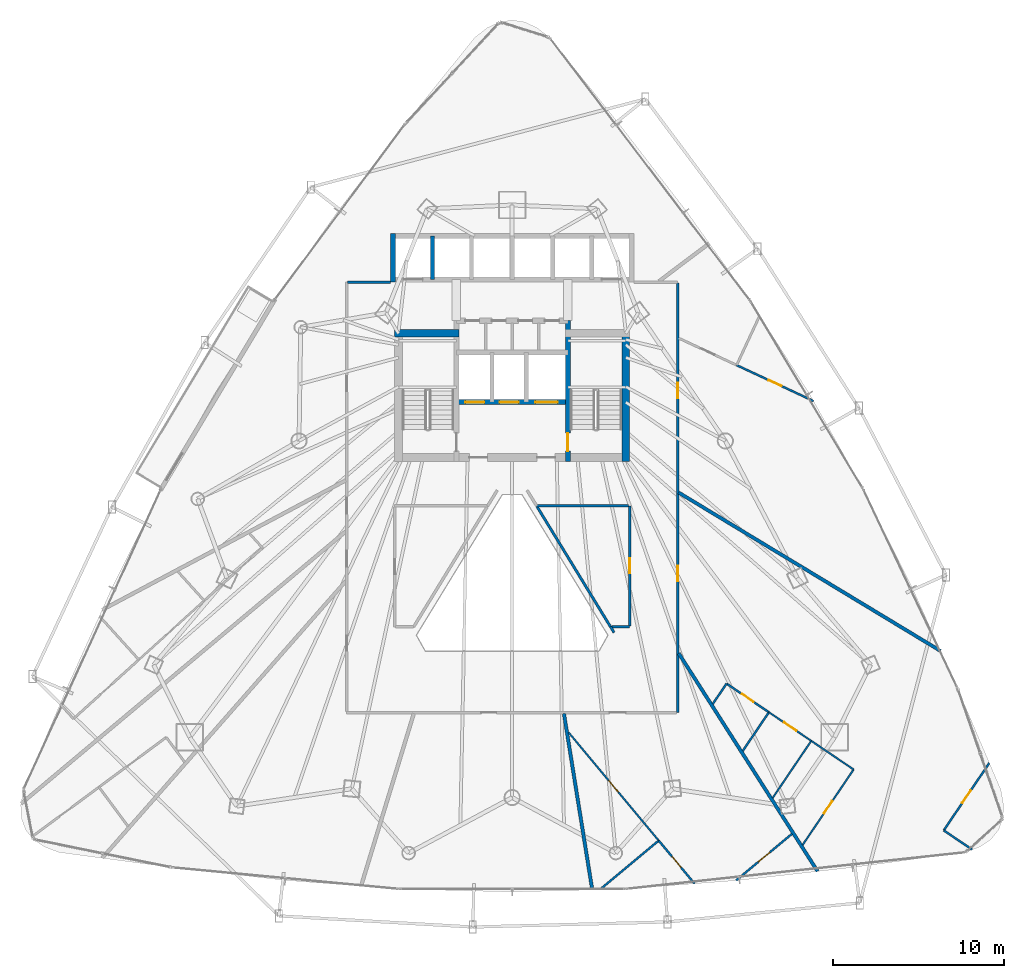
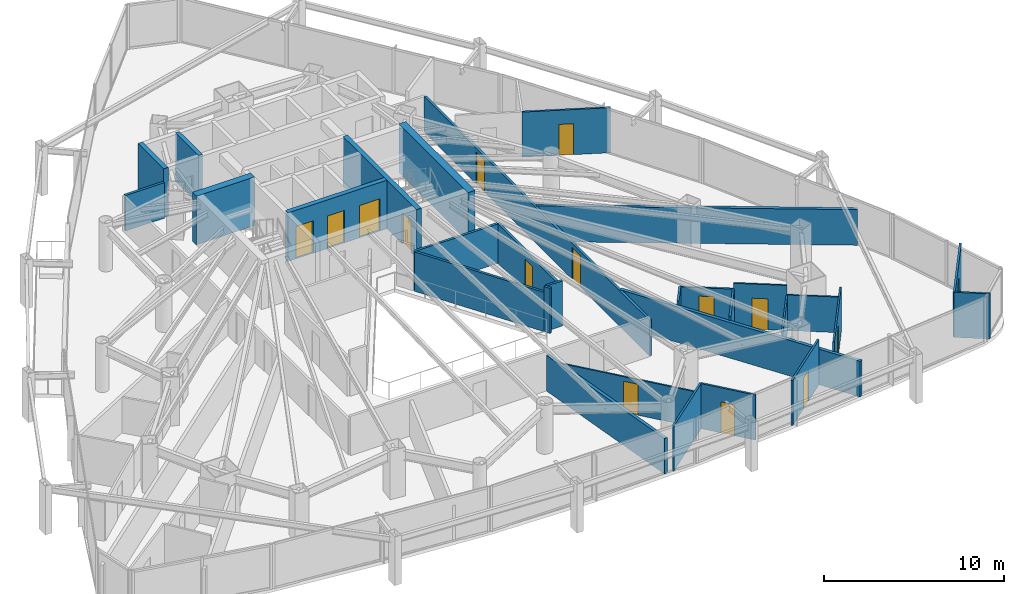
# One storey, part 33 of 38: 30 walls, 15 doors, 15 openings.
"""IFC4 building model written with IfcOpenShell, lengths in metres."""

from ifc_helpers import new_model, si_unit, direction, frame, frame_2d, origin, place, context, subcontext, project, spatial, rectangle, extrude, material, layer, layer_set, type_object, element, fill, save


model = new_model("IFC4")

# Units and contexts
model_context = context("Model", 3, precision=1e-05, world=origin(), true_north=direction((0.0, 1.0)))
body_context = subcontext(model_context, "Body", "Model", "MODEL_VIEW")
ifc_project = project(units=[si_unit("LENGTHUNIT", "METRE"), si_unit("AREAUNIT", "SQUARE_METRE"), si_unit("VOLUMEUNIT", "CUBIC_METRE"), si_unit("PLANEANGLEUNIT", "RADIAN"), si_unit("MASSUNIT", "GRAM", prefix="KILO")], contexts=[model_context])

# Site, building, storey
site_placement = place(None, origin())
site = spatial("IfcSite", under=ifc_project, at=site_placement, CompositionType="ELEMENT")
building_placement = place(site_placement, origin())
building = spatial("IfcBuilding", under=site, at=building_placement, Name="Orvanel Arch Residences", CompositionType="ELEMENT")
storey_placement = place(building_placement, frame((0.0, 0.0, 46.699951171875)))
storey = spatial("IfcBuildingStorey", under=building, at=storey_placement, Name="L12", CompositionType="ELEMENT", Elevation=46.699951171875)

# Wall
ifc_material_1 = material(Name="Concrete N50 (50 MPa)", Category="concrete")
ifc_layer_1 = layer(ifc_material_1, 0.25)
ifc_layer_set_1 = layer_set([ifc_layer_1], Name="Concrete N50 (50 MPa)")
wall_type_1 = type_object("IfcWallType", Name="SW-CORE-250", PredefinedType="SHEAR", material=ifc_layer_set_1)
wall_1_placement = place(storey_placement, frame((28.35009765625, 37.050048828125, 0.0), z_axis=(0.0, 0.0, 1.0), x_axis=(0.0, 1.0, 0.0)))
element("IfcWall", 1, at=wall_1_placement, inside=storey, type_object=wall_type_1, Name="L12 Passenger Lift Inter-Shaft Wall P13", PredefinedType="SHEAR", context=body_context, shape_type="SweptSolid", body=[
    extrude(rectangle(XDim=2.550048828125, YDim=0.25, at=frame_2d((1.27490234375, 0.0))), origin(), (0.0, 0.0, 1.0), 3.300048828125),
])

# Wall, opening, door
ifc_material_2 = material(Name="Concrete S80 (80 MPa)", Category="concrete")
ifc_layer_2 = layer(ifc_material_2, 0.300048828125)
ifc_layer_set_2 = layer_set([ifc_layer_2], Name="Concrete S80 (80 MPa)")
wall_type_2 = type_object("IfcWallType", Name="SW-CORE-300", PredefinedType="SHEAR", material=ifc_layer_set_2)
wall_2_placement = place(storey_placement, frame((36.25, 26.449951171875, 0.0), z_axis=(0.0, 0.0, 1.0), x_axis=(0.0, 1.0, 0.0)))
wall_2 = element("IfcWall", 2, at=wall_2_placement, inside=storey, type_object=wall_type_2, Name="L12 East Inner Core Spine Shear Wall", PredefinedType="SHEAR", context=body_context, shape_type="SweptSolid", body=[
    extrude(rectangle(XDim=8.199951171875, YDim=0.300048828125, at=frame_2d((4.10009765625, 0.0))), origin(), (0.0, 0.0, 1.0), 3.300048828125),
])
opening_1_placement = place(wall_2_placement, frame((0.60009765625, 0.0, 0.0)))
opening_1 = element("IfcOpeningElement", 3, at=opening_1_placement, cuts=wall_2, Name="Opening DF-120", PredefinedType="OPENING", context=body_context, shape_type="SweptSolid", body=[
    extrude(rectangle(XDim=1.050048828125, YDim=2.14990234375, at=frame_2d((0.52490234375, 1.074951171875))), frame((0.0, 0.159912109375, 0.0), z_axis=(0.0, -1.0, 0.0), x_axis=(1.0, 0.0, 0.0)), (0.0, 0.0, 1.0), 0.320068359375),
])
ifc_material_3 = material(Name="Galvanised steel fire-resisting door assembly", Category="steel")
door_type_1 = type_object("IfcDoorType", Name="DR-FD120-1050", OperationType="NOTDEFINED", PredefinedType="DOOR", material=ifc_material_3)
door_1_placement = place(opening_1_placement, origin())
door_1 = element("IfcDoor", 4, at=door_1_placement, inside=storey, type_object=door_type_1, Name="DR-L12-ST2 L12 Stair 2 Fire Door", OperationType="SINGLE_SWING_RIGHT", OverallHeight=2.14990234375, OverallWidth=1.050048828125, PredefinedType="DOOR", context=body_context, shape_type="SweptSolid", body=[
    extrude(rectangle(XDim=1.050048828125, YDim=2.14990234375, at=frame_2d((0.52490234375, 1.074951171875))), frame((0.0, 0.02490234375, 0.0), z_axis=(0.0, -1.0, 0.0), x_axis=(1.0, 0.0, 0.0)), (0.0, 0.0, 1.0), 0.050048828125),
])
fill(opening_1, door_1)

# Wall, openings, doors
wall_3_placement = place(storey_placement, frame((36.25, 29.89990234375, 0.0), z_axis=(0.0, 0.0, 1.0), x_axis=(-1.0, 0.0, 0.0)))
wall_3 = element("IfcWall", 5, at=wall_3_placement, inside=storey, type_object=wall_type_2, Name="L12 Emergency Lift Front Core Shear Wall", PredefinedType="SHEAR", context=body_context, shape_type="SweptSolid", body=[
    extrude(rectangle(XDim=6.5, YDim=0.300048828125, at=frame_2d((3.25, 0.0))), origin(), (0.0, 0.0, 1.0), 3.300048828125),
])
opening_2_placement = place(wall_3_placement, frame((4.875, 0.0, 0.0)))
opening_2 = element("IfcOpeningElement", 6, at=opening_2_placement, cuts=wall_3, Name="Opening LD-110", PredefinedType="OPENING", context=body_context, shape_type="SweptSolid", body=[
    extrude(rectangle(XDim=1.10009765625, YDim=2.199951171875, at=frame_2d((0.550048828125, 1.10009765625))), frame((0.0, 0.159912109375, 0.0), z_axis=(0.0, -1.0, 0.0), x_axis=(1.0, 0.0, 0.0)), (0.0, 0.0, 1.0), 0.320068359375),
])
opening_3_placement = place(wall_3_placement, frame((2.875, 0.0, 0.0)))
opening_3 = element("IfcOpeningElement", 7, at=opening_3_placement, cuts=wall_3, Name="Opening LD-110", PredefinedType="OPENING", context=body_context, shape_type="SweptSolid", body=[
    extrude(rectangle(XDim=1.10009765625, YDim=2.199951171875, at=frame_2d((0.550048828125, 1.10009765625))), frame((0.0, 0.159912109375, 0.0), z_axis=(0.0, -1.0, 0.0), x_axis=(1.0, 0.0, 0.0)), (0.0, 0.0, 1.0), 0.320068359375),
])
opening_4_placement = place(wall_3_placement, frame((0.60009765625, 0.0, 0.0)))
opening_4 = element("IfcOpeningElement", 8, at=opening_4_placement, cuts=wall_3, Name="Opening LD-130", PredefinedType="OPENING", context=body_context, shape_type="SweptSolid", body=[
    extrude(rectangle(XDim=1.300048828125, YDim=2.199951171875, at=frame_2d((0.64990234375, 1.10009765625))), frame((0.0, 0.159912109375, 0.0), z_axis=(0.0, -1.0, 0.0), x_axis=(1.0, 0.0, 0.0)), (0.0, 0.0, 1.0), 0.320068359375),
])
door_type_2 = type_object("IfcDoorType", Name="DR-LFT-1100", OperationType="NOTDEFINED", PredefinedType="DOOR", material=ifc_material_3)
door_2_placement = place(opening_2_placement, origin())
door_2 = element("IfcDoor", 9, at=door_2_placement, inside=storey, type_object=door_type_2, Name="LD-F1-L12 L12 Lift F1 Sliding Landing Door", OperationType="DOUBLE_DOOR_SLIDING", OverallHeight=2.199951171875, OverallWidth=1.10009765625, PredefinedType="DOOR", context=body_context, shape_type="SweptSolid", body=[
    extrude(rectangle(XDim=1.10009765625, YDim=2.199951171875, at=frame_2d((0.550048828125, 1.10009765625))), frame((0.0, 0.02490234375, 0.0), z_axis=(0.0, -1.0, 0.0), x_axis=(1.0, 0.0, 0.0)), (0.0, 0.0, 1.0), 0.050048828125),
])
fill(opening_2, door_2)
door_3_placement = place(opening_3_placement, origin())
door_3 = element("IfcDoor", 10, at=door_3_placement, inside=storey, type_object=door_type_2, Name="LD-F2-L12 L12 Lift F2 Sliding Landing Door", OperationType="DOUBLE_DOOR_SLIDING", OverallHeight=2.199951171875, OverallWidth=1.10009765625, PredefinedType="DOOR", context=body_context, shape_type="SweptSolid", body=[
    extrude(rectangle(XDim=1.10009765625, YDim=2.199951171875, at=frame_2d((0.550048828125, 1.10009765625))), frame((0.0, 0.02490234375, 0.0), z_axis=(0.0, -1.0, 0.0), x_axis=(1.0, 0.0, 0.0)), (0.0, 0.0, 1.0), 0.050048828125),
])
fill(opening_3, door_3)
door_type_3 = type_object("IfcDoorType", Name="DR-LFT-1300", OperationType="NOTDEFINED", PredefinedType="DOOR", material=ifc_material_3)
door_4_placement = place(opening_4_placement, origin())
door_4 = element("IfcDoor", 11, at=door_4_placement, inside=storey, type_object=door_type_3, Name="LD-G1-L12 L12 Lift G1 Sliding Landing Door", OperationType="DOUBLE_DOOR_SLIDING", OverallHeight=2.199951171875, OverallWidth=1.300048828125, PredefinedType="DOOR", context=body_context, shape_type="SweptSolid", body=[
    extrude(rectangle(XDim=1.300048828125, YDim=2.199951171875, at=frame_2d((0.64990234375, 1.10009765625))), frame((0.0, 0.02490234375, 0.0), z_axis=(0.0, -1.0, 0.0), x_axis=(1.0, 0.0, 0.0)), (0.0, 0.0, 1.0), 0.050048828125),
])
fill(opening_4, door_4)

# Walls
wall_4_placement = place(storey_placement, frame((26.050048828125, 36.89990234375, 0.0), z_axis=(0.0, 0.0, 1.0), x_axis=(0.0, 1.0, 0.0)))
element("IfcWall", 12, at=wall_4_placement, inside=storey, type_object=wall_type_2, Name="L12 Passenger Lift Bank West Shear Wall", PredefinedType="SHEAR", context=body_context, shape_type="SweptSolid", body=[
    extrude(rectangle(XDim=2.85009765625, YDim=0.300048828125, at=frame_2d((1.425048828125, 0.0))), origin(), (0.0, 0.0, 1.0), 3.300048828125),
])
ifc_layer_3 = layer(ifc_material_2, 0.449951171875)
ifc_layer_set_3 = layer_set([ifc_layer_3], Name="Concrete S80 (80 MPa)")
wall_type_3 = type_object("IfcWallType", Name="SW-CORE-450", PredefinedType="SHEAR", material=ifc_layer_set_3)
wall_5_placement = place(storey_placement, frame((26.14990234375, 33.925048828125, 0.0), z_axis=(0.0, 0.0, 1.0), x_axis=(1.0, 0.0, 0.0)))
element("IfcWall", 13, at=wall_5_placement, inside=storey, type_object=wall_type_3, Name="L12 West Stair North Shear Wall", PredefinedType="SHEAR", context=body_context, shape_type="SweptSolid", body=[
    extrude(rectangle(XDim=3.75, YDim=0.449951171875, at=frame_2d((1.875, 0.0))), origin(), (0.0, 0.0, 1.0), 3.300048828125),
])
wall_6_placement = place(storey_placement, frame((39.625, 26.449951171875, 0.0), z_axis=(0.0, 0.0, 1.0), x_axis=(0.0, 1.0, 0.0)))
element("IfcWall", 14, at=wall_6_placement, inside=storey, type_object=wall_type_3, Name="L12 East Stair Shear Wall", PredefinedType="SHEAR", context=body_context, shape_type="SweptSolid", body=[
    extrude(rectangle(XDim=7.699951171875, YDim=0.449951171875, at=frame_2d((3.85009765625, 0.0))), origin(), (0.0, 0.0, 1.0), 3.300048828125),
])

# Wall, openings, doors
ifc_material_4 = material(Name="Fire-rated plasterboard lined steel stud partition", Category="steel")
ifc_layer_4 = layer(ifc_material_4, 0.14990234375)
ifc_layer_set_4 = layer_set([ifc_layer_4], Name="Fire-rated plasterboard lined steel stud partition")
wall_type_4 = type_object("IfcWallType", Name="W-COR-150", PredefinedType="PARTITIONING", material=ifc_layer_set_4)
wall_7_placement = place(storey_placement, frame((42.64990234375, 36.840087890625, 0.0), z_axis=(0.0, 0.0, 1.0), x_axis=(0.0, -1.0, 0.0)))
wall_7 = element("IfcWall", 15, at=wall_7_placement, inside=storey, type_object=wall_type_4, Name="L12 Corridor Fire-Rated Partition", PredefinedType="PARTITIONING", context=body_context, shape_type="SweptSolid", body=[
    extrude(rectangle(XDim=25.0400390625, YDim=0.14990234375, at=frame_2d((12.52001953125, 0.0))), origin(), (0.0, 0.0, 1.0), 2.4130859375),
])
opening_5_placement = place(wall_7_placement, frame((16.466064453125, 0.0, 0.0)))
opening_5 = element("IfcOpeningElement", 16, at=opening_5_placement, cuts=wall_7, Name="Opening DA-092", PredefinedType="OPENING", context=body_context, shape_type="SweptSolid", body=[
    extrude(rectangle(XDim=0.919921875, YDim=2.14990234375, at=frame_2d((0.4599609375, 1.074951171875))), frame((0.0, 0.0849609375, 0.0), z_axis=(0.0, -1.0, 0.0), x_axis=(1.0, 0.0, 0.0)), (0.0, 0.0, 1.0), 0.169921875),
])
opening_6_placement = place(wall_7_placement, frame((5.7958984375, 0.0, 0.0)))
opening_6 = element("IfcOpeningElement", 17, at=opening_6_placement, cuts=wall_7, Name="Opening DA-092", PredefinedType="OPENING", context=body_context, shape_type="SweptSolid", body=[
    extrude(rectangle(XDim=0.919921875, YDim=2.14990234375, at=frame_2d((0.4599609375, 1.074951171875))), frame((0.0, 0.0849609375, 0.0), z_axis=(0.0, -1.0, 0.0), x_axis=(1.0, 0.0, 0.0)), (0.0, 0.0, 1.0), 0.169921875),
])
ifc_material_5 = material(Name="Solid-core European oak veneer fire door leaf", Category="wood")
door_type_4 = type_object("IfcDoorType", Name="DR-APT-920", OperationType="NOTDEFINED", PredefinedType="DOOR", material=ifc_material_5)
door_5_placement = place(opening_5_placement, origin())
door_5 = element("IfcDoor", 18, at=door_5_placement, inside=storey, type_object=door_type_4, Name="DR-L12-B-ENT L12 Studio B Entrance Door", OperationType="SINGLE_SWING_LEFT", OverallHeight=2.14990234375, OverallWidth=0.919921875, PredefinedType="DOOR", context=body_context, shape_type="SweptSolid", body=[
    extrude(rectangle(XDim=0.919921875, YDim=2.14990234375, at=frame_2d((0.4599609375, 1.074951171875))), frame((0.0, 0.02490234375, 0.0), z_axis=(0.0, -1.0, 0.0), x_axis=(1.0, 0.0, 0.0)), (0.0, 0.0, 1.0), 0.050048828125),
])
fill(opening_5, door_5)
door_6_placement = place(opening_6_placement, origin())
door_6 = element("IfcDoor", 19, at=door_6_placement, inside=storey, type_object=door_type_4, Name="DR-L12-D-ENT L12 Studio D Entrance Door", OperationType="SINGLE_SWING_LEFT", OverallHeight=2.14990234375, OverallWidth=0.919921875, PredefinedType="DOOR", context=body_context, shape_type="SweptSolid", body=[
    extrude(rectangle(XDim=0.919921875, YDim=2.14990234375, at=frame_2d((0.4599609375, 1.074951171875))), frame((0.0, 0.02490234375, 0.0), z_axis=(0.0, -1.0, 0.0), x_axis=(1.0, 0.0, 0.0)), (0.0, 0.0, 1.0), 0.050048828125),
])
fill(opening_6, door_6)

# Walls
wall_8_placement = place(storey_placement, frame((23.409912109375, 36.89990234375, 0.0), z_axis=(0.0, 0.0, 1.0), x_axis=(1.0, 0.0, 0.0)))
element("IfcWall", 20, at=wall_8_placement, inside=storey, type_object=wall_type_4, Name="L12 Corridor Fire-Rated Partition", PredefinedType="PARTITIONING", context=body_context, shape_type="SweptSolid", body=[
    extrude(rectangle(XDim=2.489990234375, YDim=0.14990234375, at=frame_2d((1.2451171875, 0.0))), origin(), (0.0, 0.0, 1.0), 2.4130859375),
])
wall_9_placement = place(storey_placement, frame((38.94189453125, 16.462890625, 0.0), z_axis=(0.0, 0.0, 1.0), x_axis=(-0.511932152937, 0.859025884819, 0.0)))
element("IfcWall", 21, at=wall_9_placement, inside=storey, type_object=wall_type_4, Name="L12 Corridor Fire-Rated Partition", PredefinedType="PARTITIONING", context=body_context, shape_type="SweptSolid", body=[
    extrude(rectangle(XDim=0.392578125, YDim=0.14990234375, at=frame_2d((0.1962890625, 0.0))), origin(), (0.0, 0.0, 1.0), 3.06005859375),
])
wall_10_placement = place(storey_placement, frame((38.81103515625, 16.800048828125, 0.0), z_axis=(0.0, 0.0, 1.0), x_axis=(1.0, 0.0, 0.0)))
element("IfcWall", 22, at=wall_10_placement, inside=storey, type_object=wall_type_4, Name="L12 Corridor Fire-Rated Partition", PredefinedType="PARTITIONING", context=body_context, shape_type="SweptSolid", body=[
    extrude(rectangle(XDim=1.0390625, YDim=0.14990234375, at=frame_2d((0.51953125, 0.0))), origin(), (0.0, 0.0, 1.0), 3.06005859375),
])

# Wall, opening, door
wall_11_placement = place(storey_placement, frame((39.85009765625, 16.860107421875, 0.0), z_axis=(0.0, 0.0, 1.0), x_axis=(0.0, 1.0, 0.0)))
wall_11 = element("IfcWall", 23, at=wall_11_placement, inside=storey, type_object=wall_type_4, Name="L12 Corridor Fire-Rated Partition", PredefinedType="PARTITIONING", context=body_context, shape_type="SweptSolid", body=[
    extrude(rectangle(XDim=6.989990234375, YDim=0.14990234375, at=frame_2d((3.4951171875, 0.0))), origin(), (0.0, 0.0, 1.0), 2.6689453125),
])
opening_7_placement = place(wall_11_placement, frame((3.054931640625, 0.0, 0.0)))
opening_7 = element("IfcOpeningElement", 24, at=opening_7_placement, cuts=wall_11, Name="Opening DI-088", PredefinedType="OPENING", context=body_context, shape_type="SweptSolid", body=[
    extrude(rectangle(XDim=0.8798828125, YDim=2.10009765625, at=frame_2d((0.43994140625, 1.050048828125))), frame((0.0, 0.0849609375, 0.0), z_axis=(0.0, -1.0, 0.0), x_axis=(1.0, 0.0, 0.0)), (0.0, 0.0, 1.0), 0.169921875),
])
door_type_5 = type_object("IfcDoorType", Name="DR-INT-880", OperationType="NOTDEFINED", PredefinedType="DOOR", material=ifc_material_5)
door_7_placement = place(opening_7_placement, origin())
door_7 = element("IfcDoor", 25, at=door_7_placement, inside=storey, type_object=door_type_5, Name="DR-L12-SHRD-FB9 L12 Co-Working Study Office I Door", OperationType="SINGLE_SWING_LEFT", OverallHeight=2.10009765625, OverallWidth=0.8798828125, PredefinedType="DOOR", context=body_context, shape_type="SweptSolid", body=[
    extrude(rectangle(XDim=0.8798828125, YDim=2.10009765625, at=frame_2d((0.43994140625, 1.050048828125))), frame((0.0, 0.02490234375, 0.0), z_axis=(0.0, -1.0, 0.0), x_axis=(1.0, 0.0, 0.0)), (0.0, 0.0, 1.0), 0.050048828125),
])
fill(opening_7, door_7)

# Walls
wall_12_placement = place(storey_placement, frame((39.7900390625, 23.85009765625, 0.0), z_axis=(0.0, 0.0, 1.0), x_axis=(-1.0, 0.0, 0.0)))
element("IfcWall", 26, at=wall_12_placement, inside=storey, type_object=wall_type_4, Name="L12 Corridor Fire-Rated Partition", PredefinedType="PARTITIONING", context=body_context, shape_type="SweptSolid", body=[
    extrude(rectangle(XDim=5.358154296875, YDim=0.14990234375, at=frame_2d((2.67919921875, 0.0))), origin(), (0.0, 0.0, 1.0), 2.6689453125),
])
wall_13_placement = place(storey_placement, frame((34.462890625, 23.7900390625, 0.0), z_axis=(0.0, 0.0, 1.0), x_axis=(0.521566895949, -0.853210392019, 0.0)))
element("IfcWall", 27, at=wall_13_placement, inside=storey, type_object=wall_type_4, Name="L12 Atrium Overlook Glazed Partition", PredefinedType="PARTITIONING", context=body_context, shape_type="SweptSolid", body=[
    extrude(rectangle(XDim=8.19482421875, YDim=0.14990234375, at=frame_2d((4.097412109375, 0.0))), origin(), (0.0, 0.0, 1.0), 2.6689453125),
])
ifc_layer_5 = layer(ifc_material_4, 0.199951171875)
ifc_layer_set_5 = layer_set([ifc_layer_5], Name="Fire-rated plasterboard lined steel stud partition")
wall_type_5 = type_object("IfcWallType", Name="W-DEM-200", PredefinedType="PARTITIONING", material=ifc_layer_set_5)
wall_14_placement = place(storey_placement, frame((42.7099609375, 24.6279296875, 0.0), z_axis=(0.0, 0.0, 1.0), x_axis=(0.85570509792, -0.517463801047, 0.0)))
element("IfcWall", 28, at=wall_14_placement, inside=storey, type_object=wall_type_5, Name="L12 Inter-Tenancy Acoustic Demising Wall", PredefinedType="PARTITIONING", context=body_context, shape_type="SweptSolid", body=[
    extrude(rectangle(XDim=17.860107421875, YDim=0.199951171875, at=frame_2d((8.93017578125, 0.0))), origin(), (0.0, 0.0, 1.0), 2.4130859375),
])
wall_15_placement = place(storey_placement, frame((50.81005859375, 2.5439453125, 0.0), z_axis=(0.0, 0.0, 1.0), x_axis=(-0.537314491885, 0.843381963769, 0.0)))
element("IfcWall", 29, at=wall_15_placement, inside=storey, type_object=wall_type_5, Name="L12 Inter-Tenancy Acoustic Demising Wall", PredefinedType="PARTITIONING", context=body_context, shape_type="SweptSolid", body=[
    extrude(rectangle(XDim=15.0751953125, YDim=0.199951171875, at=frame_2d((7.53759765625, 0.0))), origin(), (0.0, 0.0, 1.0), 2.4130859375),
])
wall_16_placement = place(storey_placement, frame((36.01904296875, 11.739990234375, 0.0), z_axis=(0.0, 0.0, 1.0), x_axis=(0.158816201081, -0.98730816581, 0.0)))
element("IfcWall", 30, at=wall_16_placement, inside=storey, type_object=wall_type_5, Name="L12 Inter-Tenancy Acoustic Demising Wall", PredefinedType="PARTITIONING", context=body_context, shape_type="SweptSolid", body=[
    extrude(rectangle(XDim=10.401123046875, YDim=0.199951171875, at=frame_2d((5.20068359375, 0.0))), origin(), (0.0, 0.0, 1.0), 2.4130859375),
])

# Wall, opening, door
ifc_material_6 = material(Name="Acoustic plasterboard lined twin-stud partition", Category="gypsum")
ifc_layer_6 = layer(ifc_material_6, 0.10009765625)
ifc_layer_set_6 = layer_set([ifc_layer_6], Name="Acoustic plasterboard lined twin-stud partition")
wall_type_6 = type_object("IfcWallType", Name="W-INT-100", PredefinedType="PARTITIONING", material=ifc_layer_set_6)
wall_17_placement = place(storey_placement, frame((49.93603515625, 4.073974609375, 0.0), z_axis=(0.0, 0.0, 1.0), x_axis=(0.560030395854, 0.828472060917, 0.0)))
wall_17 = element("IfcWall", 31, at=wall_17_placement, inside=storey, type_object=wall_type_6, Name="L12 Studio B Internal Partition", PredefinedType="PARTITIONING", context=body_context, shape_type="SweptSolid", body=[
    extrude(rectangle(XDim=5.31591796875, YDim=0.10009765625, at=frame_2d((2.657958984375, 0.0))), origin(), (0.0, 0.0, 1.0), 3.06005859375),
])
opening_8_placement = place(wall_17_placement, frame((2.218017578125, 0.0, 0.0)))
opening_8 = element("IfcOpeningElement", 32, at=opening_8_placement, cuts=wall_17, Name="Opening DI-088", PredefinedType="OPENING", context=body_context, shape_type="SweptSolid", body=[
    extrude(rectangle(XDim=0.8798828125, YDim=2.10009765625, at=frame_2d((0.43994140625, 1.050048828125))), frame((0.0, 0.06005859375, 0.0), z_axis=(0.0, -1.0, 0.0), x_axis=(1.0, 0.0, 0.0)), (0.0, 0.0, 1.0), 0.1201171875),
])
door_8_placement = place(opening_8_placement, origin())
door_8 = element("IfcDoor", 33, at=door_8_placement, inside=storey, type_object=door_type_5, Name="DR-L12-B-AME1 L12 Studio B Resident Reading Library 1 Door", OperationType="SINGLE_SWING_LEFT", OverallHeight=2.10009765625, OverallWidth=0.8798828125, PredefinedType="DOOR", context=body_context, shape_type="SweptSolid", body=[
    extrude(rectangle(XDim=0.8798828125, YDim=2.10009765625, at=frame_2d((0.43994140625, 1.050048828125))), frame((0.0, 0.02490234375, 0.0), z_axis=(0.0, -1.0, 0.0), x_axis=(1.0, 0.0, 0.0)), (0.0, 0.0, 1.0), 0.050048828125),
])
fill(opening_8, door_8)

# Wall
wall_18_placement = place(storey_placement, frame((52.9130859375, 8.47802734375, 0.0), z_axis=(0.0, 0.0, 1.0), x_axis=(-0.828429805787, 0.560092900226, 0.0)))
element("IfcWall", 34, at=wall_18_placement, inside=storey, type_object=wall_type_6, Name="L12 Studio B Internal Partition", PredefinedType="PARTITIONING", context=body_context, shape_type="SweptSolid", body=[
    extrude(rectangle(XDim=2.9814453125, YDim=0.10009765625, at=frame_2d((1.49072265625, 0.0))), origin(), (0.0, 0.0, 1.0), 2.4130859375),
])

# Wall, opening, door
wall_19_placement = place(storey_placement, frame((50.443115234375, 10.14794921875, 0.0), z_axis=(0.0, 0.0, 1.0), x_axis=(-0.828607449923, 0.559830058082, 0.0)))
wall_19 = element("IfcWall", 35, at=wall_19_placement, inside=storey, type_object=wall_type_6, Name="L12 Studio B Internal Partition", PredefinedType="PARTITIONING", context=body_context, shape_type="SweptSolid", body=[
    extrude(rectangle(XDim=2.981201171875, YDim=0.10009765625, at=frame_2d((1.49072265625, 0.0))), origin(), (0.0, 0.0, 1.0), 3.06005859375),
])
opening_9_placement = place(wall_19_placement, frame((1.051025390625, 0.0, 0.0)))
opening_9 = element("IfcOpeningElement", 36, at=opening_9_placement, cuts=wall_19, Name="Opening DI-088", PredefinedType="OPENING", context=body_context, shape_type="SweptSolid", body=[
    extrude(rectangle(XDim=0.8798828125, YDim=2.10009765625, at=frame_2d((0.43994140625, 1.050048828125))), frame((0.0, 0.06005859375, 0.0), z_axis=(0.0, -1.0, 0.0), x_axis=(1.0, 0.0, 0.0)), (0.0, 0.0, 1.0), 0.1201171875),
])
door_9_placement = place(opening_9_placement, origin())
door_9 = element("IfcDoor", 37, at=door_9_placement, inside=storey, type_object=door_type_5, Name="DR-L12-B-AME2 L12 Studio B Resident Reading Library 2 Door", OperationType="SINGLE_SWING_LEFT", OverallHeight=2.10009765625, OverallWidth=0.8798828125, PredefinedType="DOOR", context=body_context, shape_type="SweptSolid", body=[
    extrude(rectangle(XDim=0.8798828125, YDim=2.10009765625, at=frame_2d((0.43994140625, 1.050048828125))), frame((0.0, 0.02490234375, 0.0), z_axis=(0.0, -1.0, 0.0), x_axis=(1.0, 0.0, 0.0)), (0.0, 0.0, 1.0), 0.050048828125),
])
fill(opening_9, door_9)

# Wall
wall_20_placement = place(storey_placement, frame((48.18994140625, 6.81494140625, 0.0), z_axis=(0.0, 0.0, 1.0), x_axis=(0.560052199206, 0.828457321873, 0.0)))
element("IfcWall", 38, at=wall_20_placement, inside=storey, type_object=wall_type_6, Name="L12 Studio B Internal Partition", PredefinedType="PARTITIONING", context=body_context, shape_type="SweptSolid", body=[
    extrude(rectangle(XDim=4.023193359375, YDim=0.10009765625, at=frame_2d((2.01171875, 0.0))), origin(), (0.0, 0.0, 1.0), 2.4130859375),
])

# Wall, opening, door
wall_21_placement = place(storey_placement, frame((41.547119140625, 4.3310546875, 0.0), z_axis=(0.0, 0.0, 1.0), x_axis=(-0.640035566376, 0.768345282913, 0.0)))
wall_21 = element("IfcWall", 39, at=wall_21_placement, inside=storey, type_object=wall_type_6, Name="L12 Studio F Internal Partition", PredefinedType="PARTITIONING", context=body_context, shape_type="SweptSolid", body=[
    extrude(rectangle(XDim=8.2294921875, YDim=0.10009765625, at=frame_2d((4.11474609375, 0.0))), origin(), (0.0, 0.0, 1.0), 2.4130859375),
])
opening_10_placement = place(wall_21_placement, frame((3.675048828125, 0.0, 0.0)))
opening_10 = element("IfcOpeningElement", 40, at=opening_10_placement, cuts=wall_21, Name="Opening DI-088", PredefinedType="OPENING", context=body_context, shape_type="SweptSolid", body=[
    extrude(rectangle(XDim=0.8798828125, YDim=2.10009765625, at=frame_2d((0.43994140625, 1.050048828125))), frame((0.0, 0.06005859375, 0.0), z_axis=(0.0, -1.0, 0.0), x_axis=(1.0, 0.0, 0.0)), (0.0, 0.0, 1.0), 0.1201171875),
])
door_10_placement = place(opening_10_placement, origin())
door_10 = element("IfcDoor", 41, at=door_10_placement, inside=storey, type_object=door_type_5, Name="DR-L12-F-DIN1 L12 Studio F Dining Room 1 Door", OperationType="SINGLE_SWING_LEFT", OverallHeight=2.10009765625, OverallWidth=0.8798828125, PredefinedType="DOOR", context=body_context, shape_type="SweptSolid", body=[
    extrude(rectangle(XDim=0.8798828125, YDim=2.10009765625, at=frame_2d((0.43994140625, 1.050048828125))), frame((0.0, 0.02490234375, 0.0), z_axis=(0.0, -1.0, 0.0), x_axis=(1.0, 0.0, 0.0)), (0.0, 0.0, 1.0), 0.050048828125),
])
fill(opening_10, door_10)

ifc_layer_7 = layer(ifc_material_6, 0.1201171875)
ifc_layer_set_7 = layer_set([ifc_layer_7], Name="Acoustic plasterboard lined twin-stud partition")
wall_type_7 = type_object("IfcWallType", Name="W-WET-120", PredefinedType="PARTITIONING", material=ifc_layer_set_7)
wall_22_placement = place(storey_placement, frame((47.972900390625, 11.81689453125, 0.0), z_axis=(0.0, 0.0, 1.0), x_axis=(-0.82839181121, 0.560149093653, 0.0)))
wall_22 = element("IfcWall", 42, at=wall_22_placement, inside=storey, type_object=wall_type_7, Name="L12 Studio B Bathroom Partition", PredefinedType="PARTITIONING", context=body_context, shape_type="SweptSolid", body=[
    extrude(rectangle(XDim=2.981689453125, YDim=0.1201171875, at=frame_2d((1.49072265625, 0.0))), origin(), (0.0, 0.0, 1.0), 2.6689453125),
])
opening_11_placement = place(wall_22_placement, frame((1.0810546875, 0.0, 0.0)))
opening_11 = element("IfcOpeningElement", 43, at=opening_11_placement, cuts=wall_22, Name="Opening DW-082", PredefinedType="OPENING", context=body_context, shape_type="SweptSolid", body=[
    extrude(rectangle(XDim=0.820068359375, YDim=2.10009765625, at=frame_2d((0.41015625, 1.050048828125))), frame((0.0, 0.070068359375, 0.0), z_axis=(0.0, -1.0, 0.0), x_axis=(1.0, 0.0, 0.0)), (0.0, 0.0, 1.0), 0.14013671875),
])
door_type_6 = type_object("IfcDoorType", Name="DR-WET-820", OperationType="NOTDEFINED", PredefinedType="DOOR", material=ifc_material_5)
door_11_placement = place(opening_11_placement, origin())
door_11 = element("IfcDoor", 44, at=door_11_placement, inside=storey, type_object=door_type_6, Name="DR-L12-B-BATH L12 Studio B Bathroom Door", OperationType="SINGLE_SWING_RIGHT", OverallHeight=2.10009765625, OverallWidth=0.820068359375, PredefinedType="DOOR", context=body_context, shape_type="SweptSolid", body=[
    extrude(rectangle(XDim=0.820068359375, YDim=2.10009765625, at=frame_2d((0.41015625, 1.050048828125))), frame((0.0, 0.02490234375, 0.0), z_axis=(0.0, -1.0, 0.0), x_axis=(1.0, 0.0, 0.0)), (0.0, 0.0, 1.0), 0.050048828125),
])
fill(opening_11, door_11)

# Wall
wall_23_placement = place(storey_placement, frame((45.5029296875, 13.487060546875, 0.0), z_axis=(0.0, 0.0, 1.0), x_axis=(-0.559901526605, -0.828559159328, 0.0)))
element("IfcWall", 45, at=wall_23_placement, inside=storey, type_object=wall_type_7, Name="L12 Studio B Bathroom Partition", PredefinedType="PARTITIONING", context=body_context, shape_type="SweptSolid", body=[
    extrude(rectangle(XDim=1.437744140625, YDim=0.1201171875, at=frame_2d((0.71875, 0.0))), origin(), (0.0, 0.0, 1.0), 2.6689453125),
])

# Wall, opening, door
wall_24_placement = place(storey_placement, frame((60.824951171875, 8.85498046875, 0.0), z_axis=(0.0, 0.0, 1.0), x_axis=(-0.560046533867, -0.828461151716, 0.0)))
wall_24 = element("IfcWall", 46, at=wall_24_placement, inside=storey, type_object=wall_type_7, Name="L12 Studio B Internal Partition", PredefinedType="PARTITIONING", context=body_context, shape_type="SweptSolid", body=[
    extrude(rectangle(XDim=4.742431640625, YDim=0.1201171875, at=frame_2d((2.37109375, 0.0))), origin(), (0.0, 0.0, 1.0), 3.06005859375),
])
opening_12_placement = place(wall_24_placement, frame((1.930908203125, 0.0, 0.0)))
opening_12 = element("IfcOpeningElement", 47, at=opening_12_placement, cuts=wall_24, Name="Opening DI-088", PredefinedType="OPENING", context=body_context, shape_type="SweptSolid", body=[
    extrude(rectangle(XDim=0.8798828125, YDim=2.10009765625, at=frame_2d((0.43994140625, 1.050048828125))), frame((0.0, 0.070068359375, 0.0), z_axis=(0.0, -1.0, 0.0), x_axis=(1.0, 0.0, 0.0)), (0.0, 0.0, 1.0), 0.14013671875),
])
door_12_placement = place(opening_12_placement, origin())
door_12 = element("IfcDoor", 48, at=door_12_placement, inside=storey, type_object=door_type_5, Name="DR-L12-B-KIT L12 Studio B Kitchenette Door", OperationType="SINGLE_SWING_LEFT", OverallHeight=2.10009765625, OverallWidth=0.8798828125, PredefinedType="DOOR", context=body_context, shape_type="SweptSolid", body=[
    extrude(rectangle(XDim=0.8798828125, YDim=2.10009765625, at=frame_2d((0.43994140625, 1.050048828125))), frame((0.0, 0.02490234375, 0.0), z_axis=(0.0, -1.0, 0.0), x_axis=(1.0, 0.0, 0.0)), (0.0, 0.0, 1.0), 0.050048828125),
])
fill(opening_12, door_12)

# Walls
wall_25_placement = place(storey_placement, frame((58.1689453125, 4.926025390625, 0.0), z_axis=(0.0, 0.0, 1.0), x_axis=(0.828391626579, -0.560149366699, 0.0)))
element("IfcWall", 49, at=wall_25_placement, inside=storey, type_object=wall_type_7, Name="L12 Studio B Internal Partition", PredefinedType="PARTITIONING", context=body_context, shape_type="SweptSolid", body=[
    extrude(rectangle(XDim=2.00146484375, YDim=0.1201171875, at=frame_2d((1.000732421875, 0.0))), origin(), (0.0, 0.0, 1.0), 3.06005859375),
])
wall_26_placement = place(storey_placement, frame((47.972900390625, 11.81689453125, 0.0), z_axis=(0.0, 0.0, 1.0), x_axis=(-0.559971898906, -0.828511600665, 0.0)))
element("IfcWall", 50, at=wall_26_placement, inside=storey, type_object=wall_type_7, Name="L12 Studio B Bathroom Partition", PredefinedType="PARTITIONING", context=body_context, shape_type="SweptSolid", body=[
    extrude(rectangle(XDim=2.730224609375, YDim=0.1201171875, at=frame_2d((1.365234375, 0.0))), origin(), (0.0, 0.0, 1.0), 2.6689453125),
])

# Wall, opening, door
wall_27_placement = place(storey_placement, frame((46.091064453125, 32.05810546875, 0.0), z_axis=(0.0, 0.0, 1.0), x_axis=(0.906338250566, -0.422552926343, 0.0)))
wall_27 = element("IfcWall", 51, at=wall_27_placement, inside=storey, type_object=wall_type_7, Name="L12 Studio D Bathroom Partition", PredefinedType="PARTITIONING", context=body_context, shape_type="SweptSolid", body=[
    extrude(rectangle(XDim=4.944091796875, YDim=0.1201171875, at=frame_2d((2.47216796875, 0.0))), origin(), (0.0, 0.0, 1.0), 3.06005859375),
])
opening_13_placement = place(wall_27_placement, frame((2.06201171875, 0.0, 0.0)))
opening_13 = element("IfcOpeningElement", 52, at=opening_13_placement, cuts=wall_27, Name="Opening DW-082", PredefinedType="OPENING", context=body_context, shape_type="SweptSolid", body=[
    extrude(rectangle(XDim=0.820068359375, YDim=2.10009765625, at=frame_2d((0.41015625, 1.050048828125))), frame((0.0, 0.070068359375, 0.0), z_axis=(0.0, -1.0, 0.0), x_axis=(1.0, 0.0, 0.0)), (0.0, 0.0, 1.0), 0.14013671875),
])
door_13_placement = place(opening_13_placement, origin())
door_13 = element("IfcDoor", 53, at=door_13_placement, inside=storey, type_object=door_type_6, Name="DR-L12-D-BATH L12 Studio D Bathroom Door", OperationType="SINGLE_SWING_RIGHT", OverallHeight=2.10009765625, OverallWidth=0.820068359375, PredefinedType="DOOR", context=body_context, shape_type="SweptSolid", body=[
    extrude(rectangle(XDim=0.820068359375, YDim=2.10009765625, at=frame_2d((0.41015625, 1.050048828125))), frame((0.0, 0.02490234375, 0.0), z_axis=(0.0, -1.0, 0.0), x_axis=(1.0, 0.0, 0.0)), (0.0, 0.0, 1.0), 0.050048828125),
])
fill(opening_13, door_13)

wall_28_placement = place(storey_placement, frame((43.634033203125, 1.824951171875, 0.0), z_axis=(0.0, 0.0, 1.0), x_axis=(-0.639911914418, 0.768448268777, 0.0)))
wall_28 = element("IfcWall", 54, at=wall_28_placement, inside=storey, type_object=wall_type_7, Name="L12 Studio F Bathroom Partition", PredefinedType="PARTITIONING", context=body_context, shape_type="SweptSolid", body=[
    extrude(rectangle(XDim=3.26123046875, YDim=0.1201171875, at=frame_2d((1.630615234375, 0.0))), origin(), (0.0, 0.0, 1.0), 3.06005859375),
])
opening_14_placement = place(wall_28_placement, frame((1.220947265625, 0.0, 0.0)))
opening_14 = element("IfcOpeningElement", 55, at=opening_14_placement, cuts=wall_28, Name="Opening DW-082", PredefinedType="OPENING", context=body_context, shape_type="SweptSolid", body=[
    extrude(rectangle(XDim=0.820068359375, YDim=2.10009765625, at=frame_2d((0.41015625, 1.050048828125))), frame((0.0, 0.070068359375, 0.0), z_axis=(0.0, -1.0, 0.0), x_axis=(1.0, 0.0, 0.0)), (0.0, 0.0, 1.0), 0.14013671875),
])
door_14_placement = place(opening_14_placement, origin())
door_14 = element("IfcDoor", 56, at=door_14_placement, inside=storey, type_object=door_type_6, Name="DR-L12-F-BATH L12 Studio F Bathroom Door", OperationType="SINGLE_SWING_RIGHT", OverallHeight=2.10009765625, OverallWidth=0.820068359375, PredefinedType="DOOR", context=body_context, shape_type="SweptSolid", body=[
    extrude(rectangle(XDim=0.820068359375, YDim=2.10009765625, at=frame_2d((0.41015625, 1.050048828125))), frame((0.0, 0.02490234375, 0.0), z_axis=(0.0, -1.0, 0.0), x_axis=(1.0, 0.0, 0.0)), (0.0, 0.0, 1.0), 0.050048828125),
])
fill(opening_14, door_14)

wall_29_placement = place(storey_placement, frame((49.320068359375, 4.72509765625, 0.0), z_axis=(0.0, 0.0, 1.0), x_axis=(-0.768353158093, -0.640026112317, 0.0)))
wall_29 = element("IfcWall", 57, at=wall_29_placement, inside=storey, type_object=wall_type_7, Name="L12 Studio F Internal Partition", PredefinedType="PARTITIONING", context=body_context, shape_type="SweptSolid", body=[
    extrude(rectangle(XDim=4.248291015625, YDim=0.1201171875, at=frame_2d((2.1240234375, 0.0))), origin(), (0.0, 0.0, 1.0), 3.06005859375),
])
opening_15_placement = place(wall_29_placement, frame((1.68408203125, 0.0, 0.0)))
opening_15 = element("IfcOpeningElement", 58, at=opening_15_placement, cuts=wall_29, Name="Opening DI-088", PredefinedType="OPENING", context=body_context, shape_type="SweptSolid", body=[
    extrude(rectangle(XDim=0.8798828125, YDim=2.10009765625, at=frame_2d((0.43994140625, 1.050048828125))), frame((0.0, 0.070068359375, 0.0), z_axis=(0.0, -1.0, 0.0), x_axis=(1.0, 0.0, 0.0)), (0.0, 0.0, 1.0), 0.14013671875),
])
door_15_placement = place(opening_15_placement, origin())
door_15 = element("IfcDoor", 59, at=door_15_placement, inside=storey, type_object=door_type_5, Name="DR-L12-F-KIT L12 Studio F Kitchenette Door", OperationType="SINGLE_SWING_LEFT", OverallHeight=2.10009765625, OverallWidth=0.8798828125, PredefinedType="DOOR", context=body_context, shape_type="SweptSolid", body=[
    extrude(rectangle(XDim=0.8798828125, YDim=2.10009765625, at=frame_2d((0.43994140625, 1.050048828125))), frame((0.0, 0.02490234375, 0.0), z_axis=(0.0, -1.0, 0.0), x_axis=(1.0, 0.0, 0.0)), (0.0, 0.0, 1.0), 0.050048828125),
])
fill(opening_15, door_15)

# Wall
wall_30_placement = place(storey_placement, frame((38.1220703125, 1.47802734375, 0.0), z_axis=(0.0, 0.0, 1.0), x_axis=(0.768351451836, 0.640028160678, 0.0)))
element("IfcWall", 60, at=wall_30_placement, inside=storey, type_object=wall_type_7, Name="L12 Studio F Bathroom Partition", PredefinedType="PARTITIONING", context=body_context, shape_type="SweptSolid", body=[
    extrude(rectangle(XDim=4.457763671875, YDim=0.1201171875, at=frame_2d((2.22900390625, 0.0))), origin(), (0.0, 0.0, 1.0), 3.06005859375),
])

save(model, "model.ifc")
